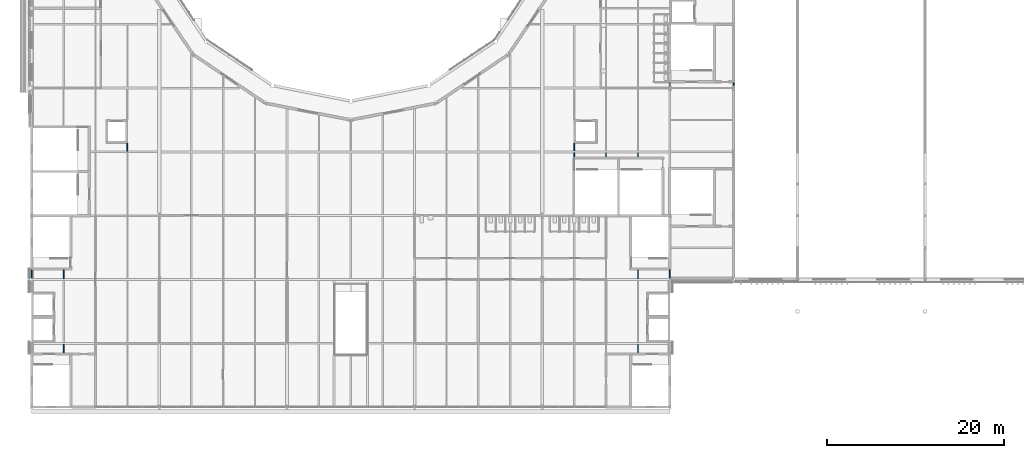
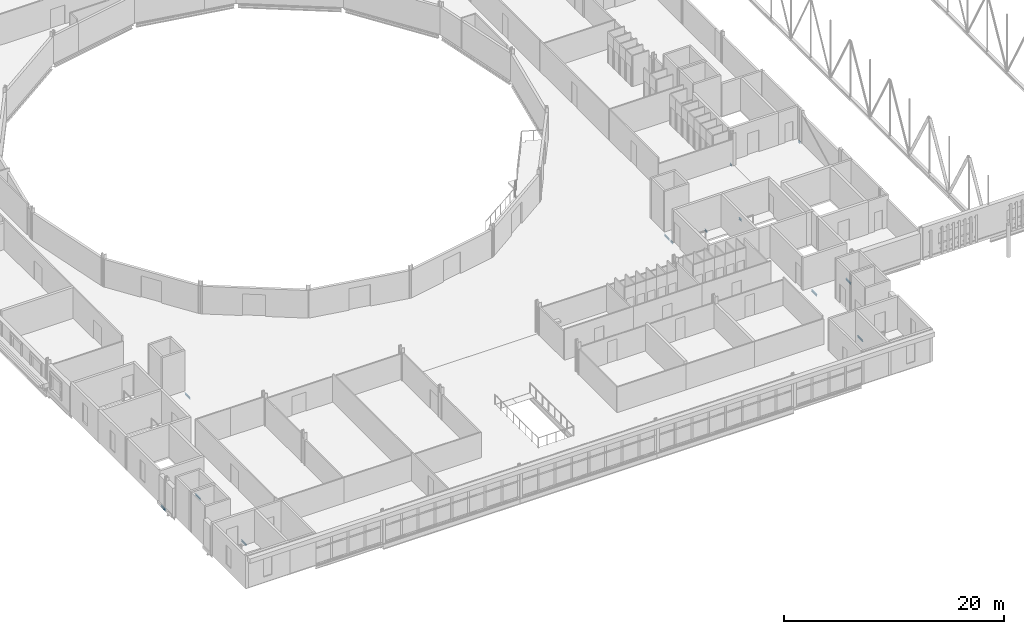
# One storey, part 81 of 142: 13 beams.
"""IFC4 building model written with IfcOpenShell, lengths in metres."""

import ifcopenshell
import ifcopenshell.guid

model = None  # the IFC model being written
_history = None  # IfcOwnerHistory: only IFC2X3 demands one
_inside = {}  # id of a spatial element -> (the spatial element, [elements in it])
_under = {}  # id of a project, library or spatial element -> (it, [spatial elements below it])
_declared = {}  # id of a project -> (the project, [libraries it declares])
_typed = {}  # id of a type object -> (the type object, [elements of that type])
_made_of = {}  # id of a material, layer set ... -> (it, [elements and type objects made of it])


def new_model(schema):
    """Start an empty IFC model of exactly this schema.

    Asked for "IFC4X3", IfcOpenShell would pick the latest addendum, in which some entities
    have other attributes; the version numbers below select the first issue.
    IFC2X3 requires an IfcOwnerHistory on every rooted entity: one is made here for all.
    """
    global model, _history
    if schema == "IFC4X3":
        model = ifcopenshell.file(schema_version=(4, 3, 0, 0))
    else:
        model = ifcopenshell.file(schema=schema)
    _inside.clear()
    _under.clear()
    _declared.clear()
    _typed.clear()
    _made_of.clear()
    _history = None
    if model.schema == "IFC2X3":
        org = make("IfcOrganization", Name="unknown")
        user = make(
            "IfcPersonAndOrganization",
            ThePerson=make("IfcPerson", FamilyName="unknown"),
            TheOrganization=org,
        )
        app = make(
            "IfcApplication",
            ApplicationDeveloper=org,
            Version="unknown",
            ApplicationFullName="unknown",
            ApplicationIdentifier="unknown",
        )
        _history = make(
            "IfcOwnerHistory",
            OwningUser=user,
            OwningApplication=app,
            ChangeAction="ADDED",
            CreationDate=0,
        )
    return model


def make(cls, **values):
    """One entity of the class cls with the attributes given. An attribute that is None is left unset."""
    return model.create_entity(
        cls, **{name: value for name, value in values.items() if value is not None}
    )


def rooted(cls, **values):
    """An entity with a GlobalId (a new one), such as an element, a storey or a relation."""
    return make(cls, GlobalId=ifcopenshell.guid.new(), OwnerHistory=_history, **values)


def si_unit(unit_type, name, prefix=None):
    """IfcSIUnit, for example si_unit("LENGTHUNIT", "METRE", prefix="MILLI")."""
    return make("IfcSIUnit", UnitType=unit_type, Prefix=prefix, Name=name)


def assignment(units):
    """IfcUnitAssignment: the units of a project."""
    return None if units is None else make("IfcUnitAssignment", Units=units)


def point(xyz):
    """IfcCartesianPoint."""
    return None if xyz is None else make("IfcCartesianPoint", Coordinates=xyz)


def direction(xyz):
    """IfcDirection."""
    return None if xyz is None else make("IfcDirection", DirectionRatios=xyz)


def frame(location, z_axis=None, x_axis=None):
    """IfcAxis2Placement3D, a coordinate frame: its origin and axes. An axis left out is left unset."""
    return make(
        "IfcAxis2Placement3D",
        Location=point(location),
        Axis=direction(z_axis),
        RefDirection=direction(x_axis),
    )


def frame_2d(location, x_axis=None):
    """IfcAxis2Placement2D, a coordinate frame in the plane: its origin and x axis."""
    return make(
        "IfcAxis2Placement2D", Location=point(location), RefDirection=direction(x_axis)
    )


def origin():
    """The frame at (0, 0, 0) with its axes left unset."""
    return frame((0.0, 0.0, 0.0))


def origin_2d():
    """The frame at (0, 0) in the plane with its x axis left unset."""
    return frame_2d((0.0, 0.0))


def place(relative_to, where):
    """IfcLocalPlacement: puts the frame where relative to a parent placement (None: the world)."""
    return make(
        "IfcLocalPlacement", PlacementRelTo=relative_to, RelativePlacement=where
    )


def context(
    kind, dimensions, precision=None, world=None, true_north=None, identifier=None
):
    """IfcGeometricRepresentationContext, for example the 3D "Model" context."""
    return make(
        "IfcGeometricRepresentationContext",
        ContextIdentifier=identifier,
        ContextType=kind,
        CoordinateSpaceDimension=dimensions,
        Precision=precision,
        WorldCoordinateSystem=world,
        TrueNorth=true_north,
    )


def subcontext(parent, identifier, kind, view, scale=None):
    """IfcGeometricRepresentationSubContext, for example "Body" below "Model"."""
    return make(
        "IfcGeometricRepresentationSubContext",
        ContextIdentifier=identifier,
        ContextType=kind,
        ParentContext=parent,
        TargetScale=scale,
        TargetView=view,
    )


def project(units=None, contexts=None):
    """IfcProject with its units and contexts."""
    return rooted(
        "IfcProject",
        Name="project",
        RepresentationContexts=contexts,
        UnitsInContext=assignment(units),
    )


def spatial(cls, under=None, at=None, **own):
    """A site, building, storey or space (cls), placed at a placement, below another one or the project."""
    s = rooted(cls, ObjectPlacement=at, **own)
    if under is not None:
        _under.setdefault(under.id(), (under, []))[1].append(s)
    return s


def profile(cls, at=None, kind="AREA", **sizes):
    """A parametric profile (cls). Its sizes go by their IFC names, for example OverallWidth=200.0."""
    return make(cls, ProfileType=kind, Position=at, **sizes)


def i_section(**sizes):
    """IfcIShapeProfileDef."""
    return profile("IfcIShapeProfileDef", **sizes)


def extrude(swept, where, along, depth):
    """IfcExtrudedAreaSolid: the profile swept, set in the frame where, extruded along a direction by depth."""
    return make(
        "IfcExtrudedAreaSolid",
        SweptArea=swept,
        Position=where,
        ExtrudedDirection=direction(along),
        Depth=depth,
    )


def shape(context_of_items, identifier, shape_type, items):
    """IfcShapeRepresentation: the items that make up one representation, for example the "Body"."""
    return make(
        "IfcShapeRepresentation",
        ContextOfItems=context_of_items,
        RepresentationIdentifier=identifier,
        RepresentationType=shape_type,
        Items=items,
    )


def material(Name=None, Category=None):
    """IfcMaterial."""
    return make("IfcMaterial", Name=Name, Category=Category)


def material_profile(
    of_material, cross_section, Name=None, Category=None, Priority=None
):
    """IfcMaterialProfile: a cross section and its material."""
    return make(
        "IfcMaterialProfile",
        Name=Name,
        Material=of_material,
        Profile=cross_section,
        Priority=Priority,
        Category=Category,
    )


def profile_set(profiles, Name=None, composite=None):
    """IfcMaterialProfileSet."""
    return make(
        "IfcMaterialProfileSet",
        Name=Name,
        MaterialProfiles=profiles,
        CompositeProfile=composite,
    )


def made_of(thing, what):
    """Note that an element or type object is made of a material, layer set ...; save() writes the relation."""
    if what is not None:
        _made_of.setdefault(what.id(), (what, []))[1].append(thing)
    return thing


def type_object(cls, material=None, **own):
    """A type object (cls), such as IfcWallType, which elements share."""
    return made_of(rooted(cls, **own), material)


def element(
    cls,
    number,
    at=None,
    inside=None,
    cuts=None,
    type_object=None,
    material=None,
    context=None,
    identifier="Body",
    shape_type=None,
    held_by="IfcProductDefinitionShape",
    body=None,
    shapes=None,
    **own,
):
    """One element of the class cls, such as IfcWall. Its Tag is "e" and its number.

    at: its placement. inside: the storey or other place that contains it. cuts: it is an
    opening in that element (IfcRelVoidsElement). A single representation is given by context,
    identifier, shape_type and body (its items); several are given by shapes. held_by: the class
    of the entity that holds the representations. save() writes the other relations.
    """
    e = rooted(cls, Tag="e%d" % number, ObjectPlacement=at, **own)
    if body is not None:
        shapes = [shape(context, identifier, shape_type, body)]
    if shapes is not None:
        e.Representation = make(held_by, Representations=shapes)
    if inside is not None:
        _inside.setdefault(inside.id(), (inside, []))[1].append(e)
    if cuts is not None:
        rooted(
            "IfcRelVoidsElement", RelatingBuildingElement=cuts, RelatedOpeningElement=e
        )
    if type_object is not None:
        _typed.setdefault(type_object.id(), (type_object, []))[1].append(e)
    return made_of(e, material)


def aggregate(whole, parts):
    """IfcRelAggregates: a whole, such as a stair, and the parts it consists of."""
    return rooted("IfcRelAggregates", RelatingObject=whole, RelatedObjects=parts)


def save(model, path):
    """Write the relations noted so far, then the file.

    IfcRelAggregates (storeys below a building ...), IfcRelContainedInSpatialStructure (elements
    in a storey), IfcRelDefinesByType, IfcRelAssociatesMaterial and IfcRelDeclares: one each for
    every whole, place, type object, material and project.
    """
    for whole, parts in _under.values():
        aggregate(whole, parts)
    for where, things in _inside.values():
        rooted(
            "IfcRelContainedInSpatialStructure",
            RelatedElements=things,
            RelatingStructure=where,
        )
    for kind, things in _typed.values():
        rooted("IfcRelDefinesByType", RelatedObjects=things, RelatingType=kind)
    for what, things in _made_of.values():
        rooted("IfcRelAssociatesMaterial", RelatedObjects=things, RelatingMaterial=what)
    for by, libraries in _declared.values():
        rooted("IfcRelDeclares", RelatingContext=by, RelatedDefinitions=libraries)
    model.write(path)


model = new_model("IFC4")

# Units and contexts
model_context = context("Model", 3, precision=1e-05, world=origin(), true_north=direction((0.0, 1.0)))
body_context = subcontext(model_context, "Body", "Model", "MODEL_VIEW")
ifc_project = project(units=[si_unit("LENGTHUNIT", "METRE"), si_unit("AREAUNIT", "SQUARE_METRE"), si_unit("VOLUMEUNIT", "CUBIC_METRE"), si_unit("PLANEANGLEUNIT", "RADIAN"), si_unit("MASSUNIT", "GRAM", prefix="KILO")], contexts=[model_context])

# Site, building, storey
site_placement = place(None, origin())
site = spatial("IfcSite", under=ifc_project, at=site_placement, CompositionType="ELEMENT")
building_placement = place(site_placement, origin())
building = spatial("IfcBuilding", under=site, at=building_placement, Name="Kupolbacken Congress Centre", CompositionType="ELEMENT")
storey_placement = place(building_placement, frame((0.0, 0.0, 14.39990234375)))
storey = spatial("IfcBuildingStorey", under=building, at=storey_placement, Name="L04", CompositionType="ELEMENT", Elevation=14.39990234375)

# Beams
ifc_material = material(Name="Steel S355", Category="steel")
ifc_material_profile = material_profile(ifc_material, i_section(OverallWidth=0.10009765625, OverallDepth=0.199951171875, WebThickness=0.005615234375, FlangeThickness=0.008544921875, FilletRadius=0.011962890625, at=origin_2d()), Name="IPE 200")
ifc_profile_set = profile_set([ifc_material_profile], Name="Steel S355")
beam_type = type_object("IfcBeamType", Name="B01 beam IPE 200", PredefinedType="BEAM", material=ifc_profile_set)
for number, where, z_axis, x_axis, name in (
    (1, (7.199951171875, 43.35009765625, -0.27978515625), (0.0, 1.0, 0.0), (-1.0, 0.0, 0.0), "S/floor/F/L04/G003"),
    (2, (79.199951171875, 43.35009765625, -0.27978515625), (0.0, 1.0, 0.0), (-1.0, 0.0, 0.0), "S/floor/F/L04/G014"),
):
    element("IfcBeam", number, at=place(storey_placement, frame(where, z_axis=z_axis, x_axis=x_axis)), inside=storey, type_object=beam_type, Name=name, PredefinedType="BEAM", context=body_context, shape_type="SweptSolid", body=[
        extrude(i_section(OverallWidth=0.10009765625, OverallDepth=0.199951171875, WebThickness=0.005615234375, FlangeThickness=0.008544921875, FilletRadius=0.011962890625, at=origin_2d()), origin(), (0.0, 0.0, 1.0), 0.9248046875),
    ])
for number, where, z_axis, x_axis, name in (
    (3, (10.800048828125, 34.925048828125, -0.27978515625), (0.0, 1.0, 0.0), (-1.0, 0.0, 0.0), "S/floor/F/L04/S040"),
    (4, (10.800048828125, 43.31005859375, -0.27978515625), (0.0, 1.0, 0.0), (-1.0, 0.0, 0.0), "S/floor/F/L04/S042"),
    (5, (75.60009765625, 34.925048828125, -0.27978515625), (0.0, 1.0, 0.0), (-1.0, 0.0, 0.0), "S/floor/F/L04/S081"),
    (6, (75.60009765625, 43.31005859375, -0.27978515625), (0.0, 1.0, 0.0), (-1.0, 0.0, 0.0), "S/floor/F/L04/S083"),
):
    element("IfcBeam", number, at=place(storey_placement, frame(where, z_axis=z_axis, x_axis=x_axis)), inside=storey, type_object=beam_type, Name=name, PredefinedType="BEAM", context=body_context, shape_type="SweptSolid", body=[
        extrude(i_section(OverallWidth=0.10009765625, OverallDepth=0.199951171875, WebThickness=0.005615234375, FlangeThickness=0.008544921875, FilletRadius=0.011962890625, at=origin_2d()), origin(), (0.0, 0.0, 1.0), 0.96484375),
    ])
beam_1_placement = place(storey_placement, frame((79.199951171875, 65.02490234375, -0.27978515625), z_axis=(0.0, 1.0, 0.0), x_axis=(-1.0, 0.0, 0.0)))
element("IfcBeam", 7, at=beam_1_placement, inside=storey, type_object=beam_type, Name="S/floor/P/L04/G033", PredefinedType="BEAM", context=body_context, shape_type="SweptSolid", body=[
    extrude(i_section(OverallWidth=0.10009765625, OverallDepth=0.199951171875, WebThickness=0.005615234375, FlangeThickness=0.008544921875, FilletRadius=0.011962890625, at=origin_2d()), origin(), (0.0, 0.0, 1.0), 0.35009765625),
])
for number, where, z_axis, x_axis, name in (
    (8, (72.0, 57.02490234375, -0.27978515625), (0.0, 1.0, 0.0), (-1.0, 0.0, 0.0), "S/floor/P/L04/S140"),
    (9, (75.60009765625, 57.02490234375, -0.27978515625), (0.0, 1.0, 0.0), (-1.0, 0.0, 0.0), "S/floor/P/L04/S151"),
):
    element("IfcBeam", number, at=place(storey_placement, frame(where, z_axis=z_axis, x_axis=x_axis)), inside=storey, type_object=beam_type, Name=name, PredefinedType="BEAM", context=body_context, shape_type="SweptSolid", body=[
        extrude(i_section(OverallWidth=0.10009765625, OverallDepth=0.199951171875, WebThickness=0.005615234375, FlangeThickness=0.008544921875, FilletRadius=0.011962890625, at=origin_2d()), origin(), (0.0, 0.0, 1.0), 0.465087890625),
    ])
beam_2_placement = place(storey_placement, frame((18.0, 57.679931640625, -0.27978515625), z_axis=(0.0, 1.0, 0.0), x_axis=(-1.0, 0.0, 0.0)))
element("IfcBeam", 10, at=beam_2_placement, inside=storey, type_object=beam_type, Name="S/floor/P/L04/S162", PredefinedType="BEAM", context=body_context, shape_type="SweptSolid", body=[
    extrude(i_section(OverallWidth=0.10009765625, OverallDepth=0.199951171875, WebThickness=0.005615234375, FlangeThickness=0.008544921875, FilletRadius=0.011962890625, at=origin_2d()), origin(), (0.0, 0.0, 1.0), 0.920166015625),
])
beam_3_placement = place(storey_placement, frame((68.39990234375, 57.02490234375, -0.27978515625), z_axis=(0.0, 1.0, 0.0), x_axis=(-1.0, 0.0, 0.0)))
element("IfcBeam", 11, at=beam_3_placement, inside=storey, type_object=beam_type, Name="S/floor/P/L04/S165", PredefinedType="BEAM", context=body_context, shape_type="SweptSolid", body=[
    extrude(i_section(OverallWidth=0.10009765625, OverallDepth=0.199951171875, WebThickness=0.005615234375, FlangeThickness=0.008544921875, FilletRadius=0.011962890625, at=origin_2d()), origin(), (0.0, 0.0, 1.0), 0.465087890625),
])
beam_4_placement = place(storey_placement, frame((68.39990234375, 57.7099609375, -0.27978515625), z_axis=(0.0, 1.0, 0.0), x_axis=(-1.0, 0.0, 0.0)))
element("IfcBeam", 12, at=beam_4_placement, inside=storey, type_object=beam_type, Name="S/floor/P/L04/S166", PredefinedType="BEAM", context=body_context, shape_type="SweptSolid", body=[
    extrude(i_section(OverallWidth=0.10009765625, OverallDepth=0.199951171875, WebThickness=0.005615234375, FlangeThickness=0.008544921875, FilletRadius=0.011962890625, at=origin_2d()), origin(), (0.0, 0.0, 1.0), 0.89013671875),
])
beam_5_placement = place(storey_placement, frame((86.39990234375, 65.044921875, -0.27978515625), z_axis=(0.0, 1.0, 0.0), x_axis=(-1.0, 0.0, 0.0)))
element("IfcBeam", 13, at=beam_5_placement, inside=storey, type_object=beam_type, Name="S/floor/LINK/L04/E004", PredefinedType="BEAM", context=body_context, shape_type="SweptSolid", body=[
    extrude(i_section(OverallWidth=0.10009765625, OverallDepth=0.199951171875, WebThickness=0.005615234375, FlangeThickness=0.008544921875, FilletRadius=0.011962890625, at=origin_2d()), origin(), (0.0, 0.0, 1.0), 0.35498046875),
])

save(model, "model.ifc")
